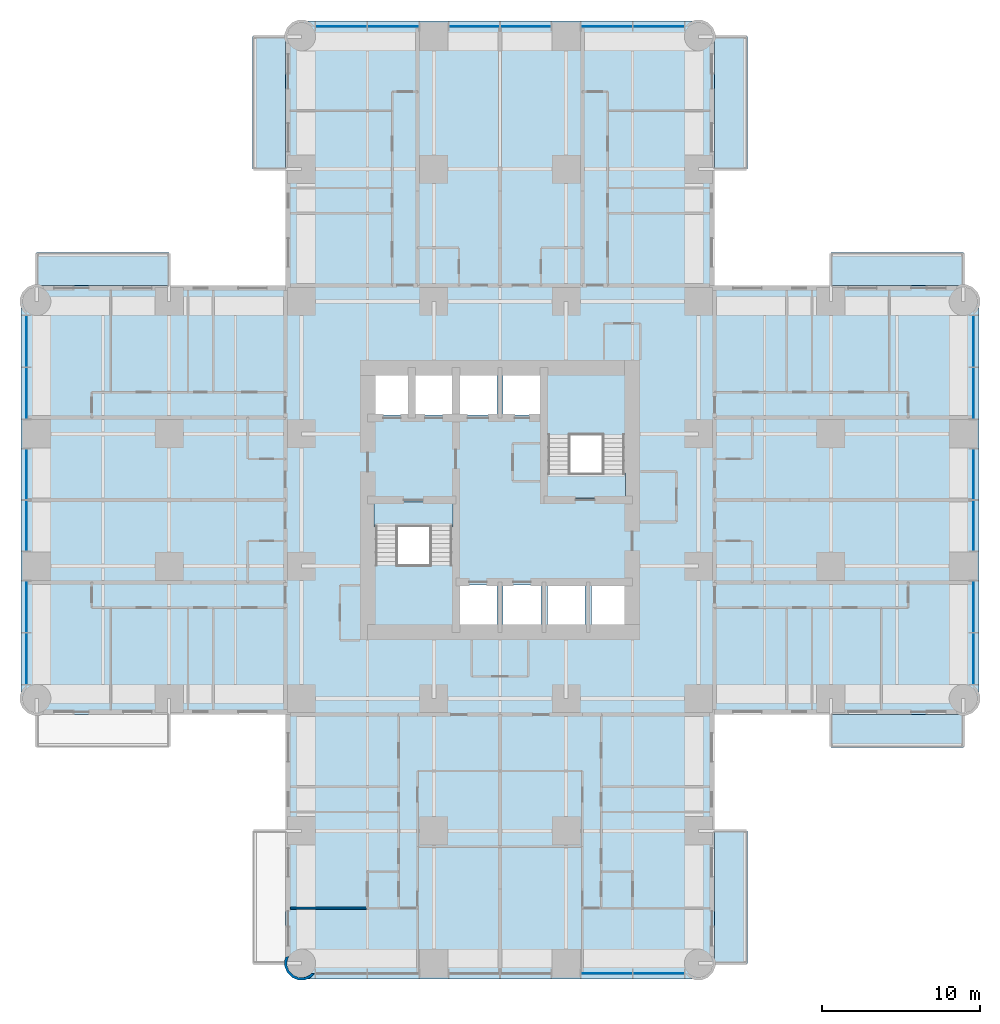
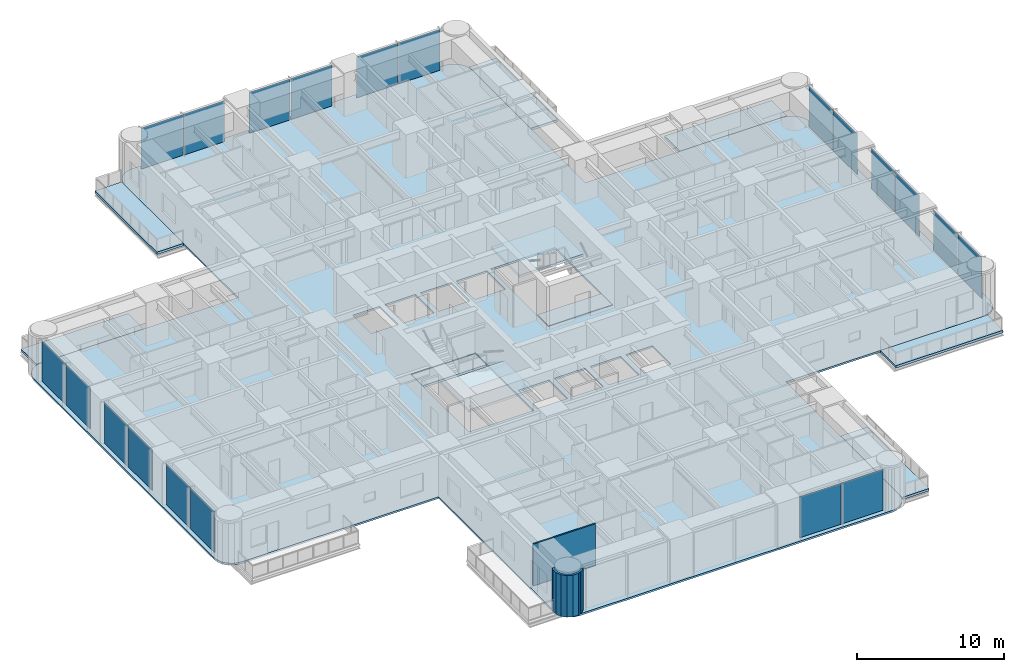
# One storey, part 6 of 17: 20 plates, 11 slabs, 2 walls, 6 elements without a shape of their own.
"""IFC4 building model written with IfcOpenShell, lengths in metres."""

from ifc_helpers import new_model, si_unit, direction, frame, frame_2d, origin, origin_2d, place, context, subcontext, project, spatial, polyline, rectangle, outline, extrude, material, layer, layer_set, type_object, element, aggregate, save


model = new_model("IFC4")

# Units and contexts
model_context = context("Model", 3, precision=1e-05, world=origin(), true_north=direction((0.0, 1.0)))
body_context = subcontext(model_context, "Body", "Model", "MODEL_VIEW")
ifc_project = project(units=[si_unit("LENGTHUNIT", "METRE"), si_unit("AREAUNIT", "SQUARE_METRE"), si_unit("VOLUMEUNIT", "CUBIC_METRE"), si_unit("PLANEANGLEUNIT", "RADIAN"), si_unit("MASSUNIT", "GRAM", prefix="KILO")], contexts=[model_context])

# Site, building, storey
site_placement = place(None, origin())
site = spatial("IfcSite", under=ifc_project, at=site_placement, CompositionType="ELEMENT")
building_placement = place(site_placement, origin())
building = spatial("IfcBuilding", under=site, at=building_placement, Name="Torre Alcanfor", CompositionType="ELEMENT")
storey_placement = place(building_placement, frame((0.0, 0.0, 88.5)))
storey = spatial("IfcBuildingStorey", under=building, at=storey_placement, Name="L22", CompositionType="ELEMENT", Elevation=88.5)

# Slabs
ifc_material_1 = material(Name="Concrete f'c 35 MPa", Category="concrete")
ifc_layer_1 = layer(ifc_material_1, 0.199951171875)
ifc_layer_set_1 = layer_set([ifc_layer_1], Name="Balcony slab 200")
slab_type_1 = type_object("IfcSlabType", Name="Balcony slab 200", PredefinedType="FLOOR", material=ifc_layer_set_1)
slab_1_placement = place(storey_placement, frame((0.0, 0.0, -0.199951171875)))
element("IfcSlab", 1, at=slab_1_placement, inside=storey, type_object=slab_type_1, Name="Balcony L22-N1", PredefinedType="FLOOR", context=body_context, shape_type="SweptSolid", body=[
    extrude(outline(polyline([(15.800048828125, 50.39990234375), (15.800048828125, 58.800048828125), (13.699951171875, 58.800048828125), (13.699951171875, 50.39990234375), (15.800048828125, 50.39990234375)])), origin(), (0.0, 0.0, 1.0), 0.199951171875),
])
slab_2_placement = place(storey_placement, frame((0.0, 0.0, -0.199951171875)))
element("IfcSlab", 2, at=slab_2_placement, inside=storey, type_object=slab_type_1, Name="Balcony L22-N2", PredefinedType="FLOOR", context=body_context, shape_type="SweptSolid", body=[
    extrude(outline(polyline([(45.10009765625, 50.39990234375), (45.10009765625, 58.800048828125), (43.0, 58.800048828125), (43.0, 50.39990234375), (45.10009765625, 50.39990234375)])), origin(), (0.0, 0.0, 1.0), 0.199951171875),
])
slab_3_placement = place(storey_placement, frame((0.0, 0.0, -0.199951171875)))
element("IfcSlab", 3, at=slab_3_placement, inside=storey, type_object=slab_type_1, Name="Balcony L22-E1", PredefinedType="FLOOR", context=body_context, shape_type="SweptSolid", body=[
    extrude(outline(polyline([(50.39990234375, 43.0), (58.800048828125, 43.0), (58.800048828125, 45.10009765625), (50.39990234375, 45.10009765625), (50.39990234375, 43.0)])), origin(), (0.0, 0.0, 1.0), 0.199951171875),
])
slab_4_placement = place(storey_placement, frame((0.0, 0.0, -0.199951171875)))
element("IfcSlab", 4, at=slab_4_placement, inside=storey, type_object=slab_type_1, Name="Balcony L22-E2", PredefinedType="FLOOR", context=body_context, shape_type="SweptSolid", body=[
    extrude(outline(polyline([(50.39990234375, 13.699951171875), (58.800048828125, 13.699951171875), (58.800048828125, 15.800048828125), (50.39990234375, 15.800048828125), (50.39990234375, 13.699951171875)])), origin(), (0.0, 0.0, 1.0), 0.199951171875),
])
slab_5_placement = place(storey_placement, frame((0.0, 0.0, -0.199951171875)))
element("IfcSlab", 5, at=slab_5_placement, inside=storey, type_object=slab_type_1, Name="Balcony L22-S1", PredefinedType="FLOOR", context=body_context, shape_type="SweptSolid", body=[
    extrude(outline(polyline([(43.0, 8.39990234375), (43.0, 0.0), (45.10009765625, 0.0), (45.10009765625, 8.39990234375), (43.0, 8.39990234375)])), origin(), (0.0, 0.0, 1.0), 0.199951171875),
])
slab_6_placement = place(storey_placement, frame((0.0, 0.0, -0.199951171875)))
element("IfcSlab", 6, at=slab_6_placement, inside=storey, type_object=slab_type_1, Name="Balcony L22-W2", PredefinedType="FLOOR", context=body_context, shape_type="SweptSolid", body=[
    extrude(outline(polyline([(8.39990234375, 45.10009765625), (0.0, 45.10009765625), (0.0, 43.0), (8.39990234375, 43.0), (8.39990234375, 45.10009765625)])), origin(), (0.0, 0.0, 1.0), 0.199951171875),
])

# Curtain wall, plates
ifc_material_2 = material(Name="Aluminium and glass", Category="aluminium")
curtain_wall_type = type_object("IfcCurtainWallType", Name="CW-A unitised apartment glazing with vertical FIN", PredefinedType="NOTDEFINED", material=ifc_material_2)
curtain_wall_1_placement = place(storey_placement, origin())
curtain_wall_1 = element("IfcCurtainWall", 7, at=curtain_wall_1_placement, inside=storey, type_object=curtain_wall_type, Name="Curtain wall CW-A L22 2", PredefinedType="NOTDEFINED")
ifc_material_3 = material(Name="Glass", Category="glass")
ifc_layer_2 = layer(ifc_material_3, 0.028076171875)
ifc_layer_set_2 = layer_set([ifc_layer_2], Name="CW-A clear double glazed unit")
plate_type = type_object("IfcPlateType", Name="CW-A clear double glazed unit", PredefinedType="CURTAIN_PANEL", material=ifc_layer_set_2)
plate_1_placement = place(storey_placement, frame((-0.64990234375, 39.484130859375, 0.0), z_axis=(0.0, 0.0, 1.0), x_axis=(0.0, -1.0, 0.0)))
plate_1 = element("IfcPlate", 8, at=plate_1_placement, type_object=plate_type, Name="CW-A panel 1.1.1", PredefinedType="CURTAIN_PANEL", context=body_context, shape_type="SweptSolid", body=[
    extrude(rectangle(XDim=3.232666015625, YDim=0.028076171875, at=origin_2d()), origin(), (0.0, 0.0, 1.0), 3.385009765625),
])
plate_2_placement = place(storey_placement, frame((-0.64990234375, 36.186279296875, 0.0), z_axis=(0.0, 0.0, 1.0), x_axis=(0.0, -1.0, 0.0)))
plate_2 = element("IfcPlate", 9, at=plate_2_placement, type_object=plate_type, Name="CW-A panel 1.2.1", PredefinedType="CURTAIN_PANEL", context=body_context, shape_type="SweptSolid", body=[
    extrude(rectangle(XDim=3.232666015625, YDim=0.028076171875, at=origin_2d()), origin(), (0.0, 0.0, 1.0), 3.385009765625),
])
plate_3_placement = place(storey_placement, frame((-0.64990234375, 31.03125, 0.0), z_axis=(0.0, 0.0, 1.0), x_axis=(0.0, -1.0, 0.0)))
plate_3 = element("IfcPlate", 10, at=plate_3_placement, type_object=plate_type, Name="CW-A panel 2.1.1", PredefinedType="CURTAIN_PANEL", context=body_context, shape_type="SweptSolid", body=[
    extrude(rectangle(XDim=3.197509765625, YDim=0.028076171875, at=origin_2d()), origin(), (0.0, 0.0, 1.0), 3.385009765625),
])
plate_4_placement = place(storey_placement, frame((-0.64990234375, 27.768798828125, 0.0), z_axis=(0.0, 0.0, 1.0), x_axis=(0.0, -1.0, 0.0)))
plate_4 = element("IfcPlate", 11, at=plate_4_placement, type_object=plate_type, Name="CW-A panel 2.2.1", PredefinedType="CURTAIN_PANEL", context=body_context, shape_type="SweptSolid", body=[
    extrude(rectangle(XDim=3.197509765625, YDim=0.028076171875, at=origin_2d()), origin(), (0.0, 0.0, 1.0), 3.385009765625),
])
plate_5_placement = place(storey_placement, frame((-0.64990234375, 22.613525390625, 0.0), z_axis=(0.0, 0.0, 1.0), x_axis=(0.0, -1.0, 0.0)))
plate_5 = element("IfcPlate", 12, at=plate_5_placement, type_object=plate_type, Name="CW-A panel 3.1.1", PredefinedType="CURTAIN_PANEL", context=body_context, shape_type="SweptSolid", body=[
    extrude(rectangle(XDim=3.232666015625, YDim=0.028076171875, at=origin_2d()), origin(), (0.0, 0.0, 1.0), 3.385009765625),
])
plate_6_placement = place(storey_placement, frame((-0.64990234375, 19.31591796875, 0.0), z_axis=(0.0, 0.0, 1.0), x_axis=(0.0, -1.0, 0.0)))
plate_6 = element("IfcPlate", 13, at=plate_6_placement, type_object=plate_type, Name="CW-A panel 3.2.1", PredefinedType="CURTAIN_PANEL", context=body_context, shape_type="SweptSolid", body=[
    extrude(rectangle(XDim=3.232666015625, YDim=0.028076171875, at=origin_2d()), origin(), (0.0, 0.0, 1.0), 3.385009765625),
])
aggregate(curtain_wall_1, [plate_1, plate_2, plate_3, plate_4, plate_5, plate_6])

curtain_wall_2_placement = place(storey_placement, origin())
curtain_wall_2 = element("IfcCurtainWall", 14, at=curtain_wall_2_placement, inside=storey, type_object=curtain_wall_type, Name="Curtain wall CW-A L22 5", PredefinedType="NOTDEFINED")
plate_7_placement = place(storey_placement, frame((36.186279296875, -0.64990234375, 0.0), z_axis=(0.0, 0.0, 1.0), x_axis=(1.0, 0.0, 0.0)))
plate_7 = element("IfcPlate", 15, at=plate_7_placement, type_object=plate_type, Name="CW-A panel 3.1.1", PredefinedType="CURTAIN_PANEL", context=body_context, shape_type="SweptSolid", body=[
    extrude(rectangle(XDim=3.232666015625, YDim=0.028076171875, at=origin_2d()), origin(), (0.0, 0.0, 1.0), 3.385009765625),
])
plate_8_placement = place(storey_placement, frame((39.484130859375, -0.64990234375, 0.0), z_axis=(0.0, 0.0, 1.0), x_axis=(1.0, 0.0, 0.0)))
plate_8 = element("IfcPlate", 16, at=plate_8_placement, type_object=plate_type, Name="CW-A panel 3.2.1", PredefinedType="CURTAIN_PANEL", context=body_context, shape_type="SweptSolid", body=[
    extrude(rectangle(XDim=3.232666015625, YDim=0.028076171875, at=origin_2d()), origin(), (0.0, 0.0, 1.0), 3.385009765625),
])
aggregate(curtain_wall_2, [plate_7, plate_8])

curtain_wall_3_placement = place(storey_placement, origin())
curtain_wall_3 = element("IfcCurtainWall", 17, at=curtain_wall_3_placement, inside=storey, type_object=curtain_wall_type, Name="Curtain wall CW-A L22 8", PredefinedType="NOTDEFINED")
plate_9_placement = place(storey_placement, frame((59.449951171875, 19.31591796875, 0.0), z_axis=(0.0, 0.0, 1.0), x_axis=(0.0, 1.0, 0.0)))
plate_9 = element("IfcPlate", 18, at=plate_9_placement, type_object=plate_type, Name="CW-A panel 1.1.1", PredefinedType="CURTAIN_PANEL", context=body_context, shape_type="SweptSolid", body=[
    extrude(rectangle(XDim=3.232666015625, YDim=0.028076171875, at=origin_2d()), origin(), (0.0, 0.0, 1.0), 3.385009765625),
])
plate_10_placement = place(storey_placement, frame((59.449951171875, 22.613525390625, 0.0), z_axis=(0.0, 0.0, 1.0), x_axis=(0.0, 1.0, 0.0)))
plate_10 = element("IfcPlate", 19, at=plate_10_placement, type_object=plate_type, Name="CW-A panel 1.2.1", PredefinedType="CURTAIN_PANEL", context=body_context, shape_type="SweptSolid", body=[
    extrude(rectangle(XDim=3.232666015625, YDim=0.028076171875, at=origin_2d()), origin(), (0.0, 0.0, 1.0), 3.385009765625),
])
plate_11_placement = place(storey_placement, frame((59.449951171875, 27.768798828125, 0.0), z_axis=(0.0, 0.0, 1.0), x_axis=(0.0, 1.0, 0.0)))
plate_11 = element("IfcPlate", 20, at=plate_11_placement, type_object=plate_type, Name="CW-A panel 2.1.1", PredefinedType="CURTAIN_PANEL", context=body_context, shape_type="SweptSolid", body=[
    extrude(rectangle(XDim=3.197509765625, YDim=0.028076171875, at=origin_2d()), origin(), (0.0, 0.0, 1.0), 3.385009765625),
])
plate_12_placement = place(storey_placement, frame((59.449951171875, 31.03125, 0.0), z_axis=(0.0, 0.0, 1.0), x_axis=(0.0, 1.0, 0.0)))
plate_12 = element("IfcPlate", 21, at=plate_12_placement, type_object=plate_type, Name="CW-A panel 2.2.1", PredefinedType="CURTAIN_PANEL", context=body_context, shape_type="SweptSolid", body=[
    extrude(rectangle(XDim=3.197509765625, YDim=0.028076171875, at=origin_2d()), origin(), (0.0, 0.0, 1.0), 3.385009765625),
])
plate_13_placement = place(storey_placement, frame((59.449951171875, 36.186279296875, 0.0), z_axis=(0.0, 0.0, 1.0), x_axis=(0.0, 1.0, 0.0)))
plate_13 = element("IfcPlate", 22, at=plate_13_placement, type_object=plate_type, Name="CW-A panel 3.1.1", PredefinedType="CURTAIN_PANEL", context=body_context, shape_type="SweptSolid", body=[
    extrude(rectangle(XDim=3.232666015625, YDim=0.028076171875, at=origin_2d()), origin(), (0.0, 0.0, 1.0), 3.385009765625),
])
plate_14_placement = place(storey_placement, frame((59.449951171875, 39.484130859375, 0.0), z_axis=(0.0, 0.0, 1.0), x_axis=(0.0, 1.0, 0.0)))
plate_14 = element("IfcPlate", 23, at=plate_14_placement, type_object=plate_type, Name="CW-A panel 3.2.1", PredefinedType="CURTAIN_PANEL", context=body_context, shape_type="SweptSolid", body=[
    extrude(rectangle(XDim=3.232666015625, YDim=0.028076171875, at=origin_2d()), origin(), (0.0, 0.0, 1.0), 3.385009765625),
])
aggregate(curtain_wall_3, [plate_9, plate_10, plate_11, plate_12, plate_13, plate_14])

curtain_wall_4_placement = place(storey_placement, origin())
curtain_wall_4 = element("IfcCurtainWall", 24, at=curtain_wall_4_placement, inside=storey, type_object=curtain_wall_type, Name="Curtain wall CW-A L22 11", PredefinedType="NOTDEFINED")
plate_15_placement = place(storey_placement, frame((39.484130859375, 59.449951171875, 0.0), z_axis=(0.0, 0.0, 1.0), x_axis=(-1.0, 0.0, 0.0)))
plate_15 = element("IfcPlate", 25, at=plate_15_placement, type_object=plate_type, Name="CW-A panel 1.1.1", PredefinedType="CURTAIN_PANEL", context=body_context, shape_type="SweptSolid", body=[
    extrude(rectangle(XDim=3.232666015625, YDim=0.028076171875, at=origin_2d()), origin(), (0.0, 0.0, 1.0), 3.385009765625),
])
plate_16_placement = place(storey_placement, frame((36.186279296875, 59.449951171875, 0.0), z_axis=(0.0, 0.0, 1.0), x_axis=(-1.0, 0.0, 0.0)))
plate_16 = element("IfcPlate", 26, at=plate_16_placement, type_object=plate_type, Name="CW-A panel 1.2.1", PredefinedType="CURTAIN_PANEL", context=body_context, shape_type="SweptSolid", body=[
    extrude(rectangle(XDim=3.232666015625, YDim=0.028076171875, at=origin_2d()), origin(), (0.0, 0.0, 1.0), 3.385009765625),
])
plate_17_placement = place(storey_placement, frame((31.03125, 59.449951171875, 0.0), z_axis=(0.0, 0.0, 1.0), x_axis=(-1.0, 0.0, 0.0)))
plate_17 = element("IfcPlate", 27, at=plate_17_placement, type_object=plate_type, Name="CW-A panel 2.1.1", PredefinedType="CURTAIN_PANEL", context=body_context, shape_type="SweptSolid", body=[
    extrude(rectangle(XDim=3.197509765625, YDim=0.028076171875, at=origin_2d()), origin(), (0.0, 0.0, 1.0), 3.385009765625),
])
plate_18_placement = place(storey_placement, frame((27.768798828125, 59.449951171875, 0.0), z_axis=(0.0, 0.0, 1.0), x_axis=(-1.0, 0.0, 0.0)))
plate_18 = element("IfcPlate", 28, at=plate_18_placement, type_object=plate_type, Name="CW-A panel 2.2.1", PredefinedType="CURTAIN_PANEL", context=body_context, shape_type="SweptSolid", body=[
    extrude(rectangle(XDim=3.197509765625, YDim=0.028076171875, at=origin_2d()), origin(), (0.0, 0.0, 1.0), 3.385009765625),
])
plate_19_placement = place(storey_placement, frame((22.613525390625, 59.449951171875, 0.0), z_axis=(0.0, 0.0, 1.0), x_axis=(-1.0, 0.0, 0.0)))
plate_19 = element("IfcPlate", 29, at=plate_19_placement, type_object=plate_type, Name="CW-A panel 3.1.1", PredefinedType="CURTAIN_PANEL", context=body_context, shape_type="SweptSolid", body=[
    extrude(rectangle(XDim=3.232666015625, YDim=0.028076171875, at=origin_2d()), origin(), (0.0, 0.0, 1.0), 3.385009765625),
])
plate_20_placement = place(storey_placement, frame((19.31591796875, 59.449951171875, 0.0), z_axis=(0.0, 0.0, 1.0), x_axis=(-1.0, 0.0, 0.0)))
plate_20 = element("IfcPlate", 30, at=plate_20_placement, type_object=plate_type, Name="CW-A panel 3.2.1", PredefinedType="CURTAIN_PANEL", context=body_context, shape_type="SweptSolid", body=[
    extrude(rectangle(XDim=3.232666015625, YDim=0.028076171875, at=origin_2d()), origin(), (0.0, 0.0, 1.0), 3.385009765625),
])
aggregate(curtain_wall_4, [plate_15, plate_16, plate_17, plate_18, plate_19, plate_20])

# Slab
ifc_material_4 = material(Name="Concrete f'c 35 MPa", Category="concrete")
ifc_layer_3 = layer(ifc_material_4, 0.14990234375)
ifc_layer_set_3 = layer_set([ifc_layer_3], Name="Composite floor 150 on metal deck")
slab_type_2 = type_object("IfcSlabType", Name="Composite floor 150 on metal deck", PredefinedType="FLOOR", material=ifc_layer_set_3)
slab_7_placement = place(storey_placement, frame((0.0, 0.0, -0.14990234375)))
element("IfcSlab", 31, at=slab_7_placement, inside=storey, type_object=slab_type_2, Name="Floor slab L22", PredefinedType="FLOOR", context=body_context, shape_type="SweptSolid", body=[
    extrude(outline(polyline([(15.800048828125, 43.0), (0.39990234375, 43.0), (0.03759765625, 42.952392578125), (-0.300048828125, 42.8125), (-0.58984375, 42.58984375), (-0.8125, 42.300048828125), (-0.952392578125, 41.96240234375), (-1.0, 41.60009765625), (-1.0, 17.199951171875), (-0.952392578125, 16.837646484375), (-0.8125, 16.5), (-0.58984375, 16.210205078125), (-0.300048828125, 15.987548828125), (0.03759765625, 15.84765625), (0.39990234375, 15.800048828125), (15.800048828125, 15.800048828125), (15.800048828125, 0.39990234375), (15.84765625, 0.03759765625), (15.987548828125, -0.300048828125), (16.210205078125, -0.58984375), (16.5, -0.8125), (16.837646484375, -0.952392578125), (17.199951171875, -1.0), (41.60009765625, -1.0), (41.96240234375, -0.952392578125), (42.300048828125, -0.8125), (42.58984375, -0.58984375), (42.8125, -0.300048828125), (42.952392578125, 0.03759765625), (43.0, 0.39990234375), (43.0, 15.800048828125), (58.39990234375, 15.800048828125), (58.76220703125, 15.84765625), (59.10009765625, 15.987548828125), (59.389892578125, 16.210205078125), (59.6123046875, 16.5), (59.752197265625, 16.837646484375), (59.800048828125, 17.199951171875), (59.800048828125, 41.60009765625), (59.752197265625, 41.96240234375), (59.6123046875, 42.300048828125), (59.389892578125, 42.58984375), (59.10009765625, 42.8125), (58.76220703125, 42.952392578125), (58.39990234375, 43.0), (43.0, 43.0), (43.0, 58.39990234375), (42.952392578125, 58.76220703125), (42.8125, 59.10009765625), (42.58984375, 59.389892578125), (42.300048828125, 59.6123046875), (41.96240234375, 59.752197265625), (41.60009765625, 59.800048828125), (17.199951171875, 59.800048828125), (16.837646484375, 59.752197265625), (16.5, 59.6123046875), (16.210205078125, 59.389892578125), (15.987548828125, 59.10009765625), (15.84765625, 58.76220703125), (15.800048828125, 58.39990234375), (15.800048828125, 43.0)]), holes=[polyline([(21.419921875, 21.419921875), (26.47998046875, 21.419921875), (26.47998046875, 29.280029296875), (21.419921875, 29.280029296875), (21.419921875, 21.419921875)]), polyline([(32.320068359375, 29.52001953125), (37.3798828125, 29.52001953125), (37.3798828125, 37.3798828125), (32.320068359375, 37.3798828125), (32.320068359375, 29.52001953125)]), polyline([(26.800048828125, 21.5), (29.199951171875, 21.5), (29.199951171875, 24.0), (26.800048828125, 24.0), (26.800048828125, 21.5)]), polyline([(29.60009765625, 21.5), (32.0, 21.5), (32.0, 24.0), (29.60009765625, 24.0), (29.60009765625, 21.5)]), polyline([(32.39990234375, 21.5), (34.800048828125, 21.5), (34.800048828125, 24.0), (32.39990234375, 24.0), (32.39990234375, 21.5)]), polyline([(35.199951171875, 21.5), (37.300048828125, 21.5), (37.300048828125, 24.0), (35.199951171875, 24.0), (35.199951171875, 21.5)]), polyline([(21.5, 34.800048828125), (23.60009765625, 34.800048828125), (23.60009765625, 37.300048828125), (21.5, 37.300048828125), (21.5, 34.800048828125)]), polyline([(24.0, 34.800048828125), (26.39990234375, 34.800048828125), (26.39990234375, 37.300048828125), (24.0, 37.300048828125), (24.0, 34.800048828125)]), polyline([(26.800048828125, 34.800048828125), (29.199951171875, 34.800048828125), (29.199951171875, 37.300048828125), (26.800048828125, 37.300048828125), (26.800048828125, 34.800048828125)]), polyline([(29.60009765625, 34.800048828125), (32.0, 34.800048828125), (32.0, 37.300048828125), (29.60009765625, 37.300048828125), (29.60009765625, 34.800048828125)])]), origin(), (0.0, 0.0, 1.0), 0.14990234375),
])

# Stair, slabs
ifc_material_5 = material(Name="Concrete f'c 35 MPa", Category="concrete")
stair_type_1 = type_object("IfcStairType", Name="Exit stair S1 1400 wide", PredefinedType="HALF_TURN_STAIR", material=ifc_material_5)
stair_1_placement = place(storey_placement, origin())
stair_1 = element("IfcStair", 32, at=stair_1_placement, inside=storey, type_object=stair_type_1, Name="Stair S1 L22 to L23", PredefinedType="HALF_TURN_STAIR")
ifc_material_6 = material(Name="Concrete f'c 35 MPa", Category="concrete")
ifc_layer_4 = layer(ifc_material_6, 0.199951171875)
ifc_layer_set_4 = layer_set([ifc_layer_4], Name="Stair landing 200")
slab_type_3 = type_object("IfcSlabType", Name="Stair landing 200", PredefinedType="LANDING", material=ifc_layer_set_4)
slab_8_placement = place(storey_placement, frame((0.0, 0.0, -0.199951171875)))
slab_8 = element("IfcSlab", 33, at=slab_8_placement, type_object=slab_type_3, Name="S1 landing 1", PredefinedType="LANDING", context=body_context, shape_type="SweptSolid", body=[
    extrude(outline(polyline([(21.419921875, 27.699951171875), (26.429931640625, 27.699951171875), (26.429931640625, 29.22998046875), (21.419921875, 29.22998046875), (21.419921875, 27.699951171875)])), origin(), (0.0, 0.0, 1.0), 0.199951171875),
])
slab_9_placement = place(storey_placement, frame((0.0, 0.0, 1.60009765625)))
slab_9 = element("IfcSlab", 34, at=slab_9_placement, type_object=slab_type_3, Name="S1 landing 2", PredefinedType="LANDING", context=body_context, shape_type="SweptSolid", body=[
    extrude(outline(polyline([(21.419921875, 21.419921875), (26.429931640625, 21.419921875), (26.429931640625, 25.280029296875), (21.419921875, 25.280029296875), (21.419921875, 21.419921875)])), origin(), (0.0, 0.0, 1.0), 0.199951171875),
])
aggregate(stair_1, [slab_8, slab_9])

ifc_material_7 = material(Name="Concrete f'c 35 MPa", Category="concrete")
stair_type_2 = type_object("IfcStairType", Name="Exit stair S2 1400 wide", PredefinedType="HALF_TURN_STAIR", material=ifc_material_7)
stair_2_placement = place(storey_placement, origin())
stair_2 = element("IfcStair", 35, at=stair_2_placement, inside=storey, type_object=stair_type_2, Name="Stair S2 L22 to L23", PredefinedType="HALF_TURN_STAIR")
slab_10_placement = place(storey_placement, frame((0.0, 0.0, -0.199951171875)))
slab_10 = element("IfcSlab", 36, at=slab_10_placement, type_object=slab_type_3, Name="S2 landing 1", PredefinedType="LANDING", context=body_context, shape_type="SweptSolid", body=[
    extrude(outline(polyline([(32.3701171875, 29.570068359375), (37.3798828125, 29.570068359375), (37.3798828125, 31.10009765625), (32.3701171875, 31.10009765625), (32.3701171875, 29.570068359375)])), origin(), (0.0, 0.0, 1.0), 0.199951171875),
])
slab_11_placement = place(storey_placement, frame((0.0, 0.0, 1.60009765625)))
slab_11 = element("IfcSlab", 37, at=slab_11_placement, type_object=slab_type_3, Name="S2 landing 2", PredefinedType="LANDING", context=body_context, shape_type="SweptSolid", body=[
    extrude(outline(polyline([(32.3701171875, 33.52001953125), (37.3798828125, 33.52001953125), (37.3798828125, 37.3798828125), (32.3701171875, 37.3798828125), (32.3701171875, 33.52001953125)])), origin(), (0.0, 0.0, 1.0), 0.199951171875),
])
aggregate(stair_2, [slab_10, slab_11])

# Walls
ifc_material_8 = material(Name="Gypsum board on steel studs", Category="steel")
ifc_layer_5 = layer(ifc_material_8, 0.1201171875)
ifc_layer_set_5 = layer_set([ifc_layer_5], Name="Apartment partition 120")
wall_type_1 = type_object("IfcWallType", Name="Apartment partition 120", PredefinedType="PARTITIONING", material=ifc_layer_set_5)
wall_1_placement = place(storey_placement, frame((20.970947265625, 3.5, 0.0), z_axis=(0.0, 0.0, 1.0), x_axis=(-1.0, 0.0, 0.0)))
element("IfcWall", 38, at=wall_1_placement, inside=storey, type_object=wall_type_1, Name="Partition L22-S2-MASTER / L22-S2-WGARD", PredefinedType="PARTITIONING", context=body_context, shape_type="SweptSolid", body=[
    extrude(rectangle(XDim=4.870849609375, YDim=0.1201171875, at=frame_2d((2.435546875, 0.0))), origin(), (0.0, 0.0, 1.0), 3.449951171875),
])
ifc_material_9 = material(Name="Limestone cladding", Category="masonry")
ifc_layer_6 = layer(ifc_material_9, 0.0400390625, Name="Facing")
ifc_material_10 = material(Name="Ventilated air cavity")
ifc_layer_7 = layer(ifc_material_10, 0.02001953125, ventilated=True, Name="Ventilated joint")
ifc_material_11 = material(Name="Mineral wool insulation", Category="insulation")
ifc_layer_8 = layer(ifc_material_11, 0.10009765625, Name="Insulation")
ifc_material_12 = material(Name="Concrete f'c 35 MPa", Category="concrete")
ifc_layer_9 = layer(ifc_material_12, 0.139892578125, Name="Backing")
ifc_layer_set_6 = layer_set([ifc_layer_6, ifc_layer_7, ifc_layer_8, ifc_layer_9], Name="Rounded corner pier stone-clad 300")
wall_type_2 = type_object("IfcWallType", Name="Rounded corner pier stone-clad 300", PredefinedType="SOLIDWALL", material=ifc_layer_set_6)
wall_2_placement = place(storey_placement, frame((15.890092843, 0.363962863, 0.0), z_axis=(0.0, 0.0, 1.0), x_axis=(-0.377204953059, -0.926129809145, 0.0)))
element("IfcWall", 39, at=wall_2_placement, inside=storey, type_object=wall_type_2, Name="Corner pier L22 15", PredefinedType="SOLIDWALL", context=body_context, shape_type="SweptSolid", body=[
    extrude(outline(polyline([(0.36025406326845444, 1.8033251535395152), (0.5088520451897254, 1.7407402151136773), (0.7605729288027181, 1.4858036812916837), (0.8957625945963965, 1.1538802047718164), (0.8938847377533284, 0.7953914035812757), (0.7547773157275899, 0.46510295554213366), (0.4997067670481534, 0.21306387496571194), (0.16778329052828606, 0.07787420917203358), (-0.09994023900030424, 0.0795504548732244), (0.0006804239564057041, -0.09694899646014049), (0.029999294732247404, -0.08026261581225796), (0.19856690358048068, -0.0812004843578153), (0.5888257049928043, 0.07774867310804906), (0.8888185520201115, 0.37418200048294215), (1.0525847078153452, 0.7630186897929918), (1.0551554850896743, 1.184529802966568), (0.896114236570817, 1.5750147102893275), (0.7776681844062314, 1.6949582431572732), (0.7691216165340404, 1.727592391840862), (0.7502462480266835, 1.7228043636692119), (0.599680909195924, 1.8750075573166347), (0.2945300212676607, 2.0035278056043833), (0.2809636666415082, 1.9980023424248052), (0.36025406326845444, 1.8033251535395152)])), origin(), (0.0, 0.0, 1.0), 3.449951171875),
])

save(model, "model.ifc")
